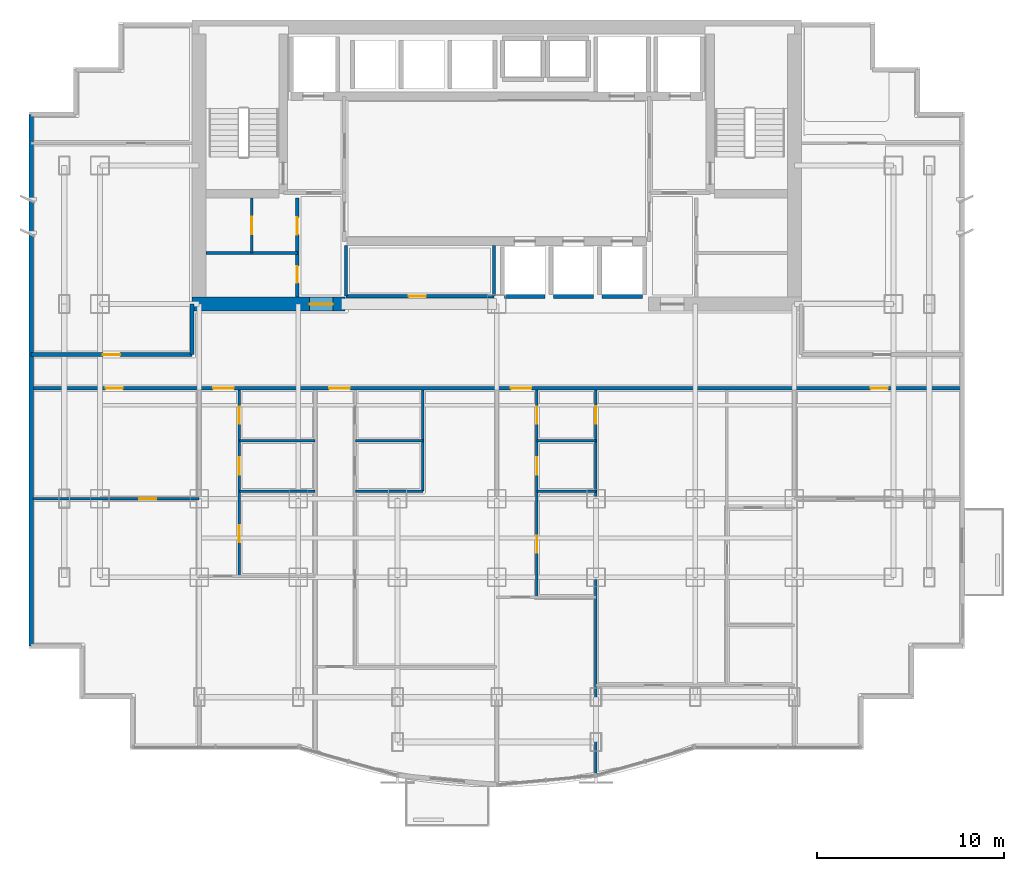
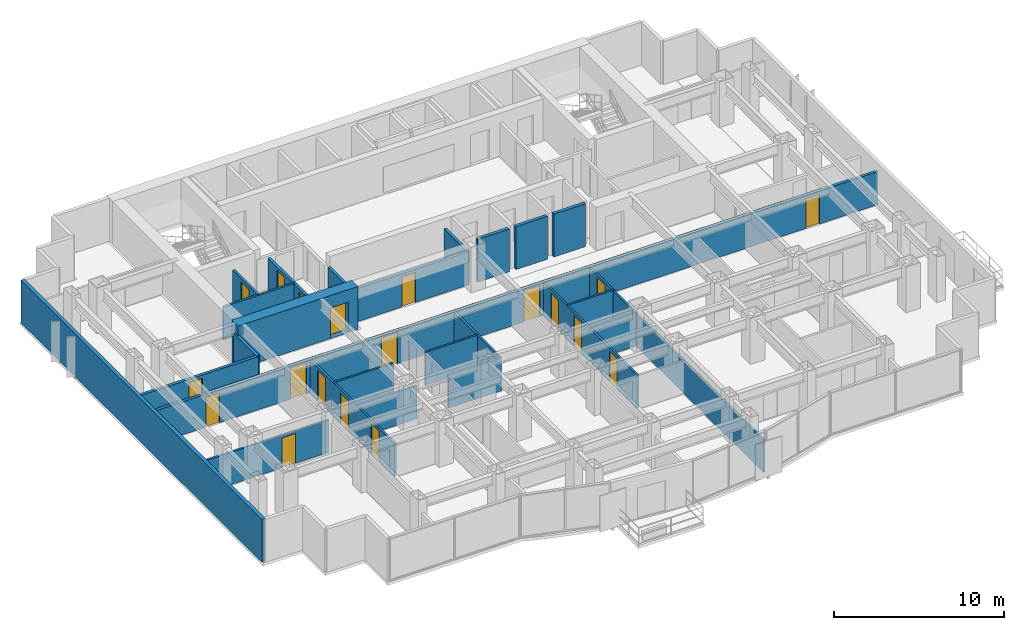
# One storey, part 5 of 10: 25 walls, 19 doors, 19 openings.
"""IFC4 building model written with IfcOpenShell, lengths in metres."""

from ifc_helpers import new_model, si_unit, direction, frame, frame_2d, origin, place, context, subcontext, project, spatial, rectangle, extrude, material, layer, layer_set, type_object, element, fill, save


model = new_model("IFC4")

# Units and contexts
model_context = context("Model", 3, precision=1e-05, world=origin(), true_north=direction((0.0, 1.0)))
body_context = subcontext(model_context, "Body", "Model", "MODEL_VIEW")
ifc_project = project(units=[si_unit("LENGTHUNIT", "METRE"), si_unit("AREAUNIT", "SQUARE_METRE"), si_unit("VOLUMEUNIT", "CUBIC_METRE"), si_unit("PLANEANGLEUNIT", "RADIAN"), si_unit("MASSUNIT", "GRAM", prefix="KILO")], contexts=[model_context])

# Site, building, storey
site_placement = place(None, origin())
site = spatial("IfcSite", under=ifc_project, at=site_placement, CompositionType="ELEMENT")
building_placement = place(site_placement, origin())
building = spatial("IfcBuilding", under=site, at=building_placement, Name="Qianlan Lanfeng Residences", CompositionType="ELEMENT")
storey_placement = place(building_placement, frame((0.0, 0.0, 91.60009765625)))
storey = spatial("IfcBuildingStorey", under=building, at=storey_placement, Name="L24", CompositionType="ELEMENT", Elevation=91.60009765625)

# Wall, opening, door
ifc_material_1 = material(Name="Concrete C60", Category="concrete")
ifc_layer_1 = layer(ifc_material_1, 0.75)
ifc_layer_set_1 = layer_set([ifc_layer_1], Name="Concrete C60")
wall_type_1 = type_object("IfcWallType", Name="CW-RC-750", PredefinedType="SHEAR", material=ifc_layer_set_1)
wall_1_placement = place(storey_placement, frame((10.22509765625, 25.199951171875, 0.0), z_axis=(0.0, 0.0, 1.0), x_axis=(1.0, 0.0, 0.0)))
wall_1 = element("IfcWall", 1, at=wall_1_placement, inside=storey, type_object=wall_type_1, Name="L24 Core Shear Wall SW", PredefinedType="SHEAR", context=body_context, shape_type="SweptSolid", body=[
    extrude(rectangle(XDim=8.1748046875, YDim=0.75, at=frame_2d((4.08740234375, 0.0))), origin(), (0.0, 0.0, 1.0), 3.08984375),
])
opening_1_placement = place(wall_1_placement, frame((6.27490234375, 0.0, 0.0)))
opening_1 = element("IfcOpeningElement", 2, at=opening_1_placement, cuts=wall_1, Name="Opening L24-D01", PredefinedType="OPENING", context=body_context, shape_type="SweptSolid", body=[
    extrude(rectangle(XDim=1.25, YDim=2.199951171875, at=frame_2d((0.625, 1.10009765625))), frame((0.0, 0.385009765625, 0.0), z_axis=(0.0, -1.0, 0.0), x_axis=(1.0, 0.0, 0.0)), (0.0, 0.0, 1.0), 0.77001953125),
])
ifc_material_2 = material(Name="Painted Galvanised Steel Fire Door", Category="steel")
door_type_1 = type_object("IfcDoorType", Name="DT-FFL", OperationType="NOTDEFINED", PredefinedType="DOOR", material=ifc_material_2)
door_1_placement = place(opening_1_placement, origin())
door_1 = element("IfcDoor", 3, at=door_1_placement, inside=storey, type_object=door_type_1, Name="L24 West Core Lobby Smoke Door L24-D01 (DT-FFL)", OperationType="SINGLE_SWING_RIGHT", OverallHeight=2.199951171875, OverallWidth=1.25, PredefinedType="DOOR", context=body_context, shape_type="SweptSolid", body=[
    extrude(rectangle(XDim=1.25, YDim=2.199951171875, at=frame_2d((0.625, 1.10009765625))), frame((0.0, 0.02490234375, 0.0), z_axis=(0.0, -1.0, 0.0), x_axis=(1.0, 0.0, 0.0)), (0.0, 0.0, 1.0), 0.050048828125),
])
fill(opening_1, door_1)

# Wall
ifc_material_3 = material(Name="Concrete C42", Category="concrete")
ifc_layer_2 = layer(ifc_material_3, 0.239990234375)
ifc_layer_set_2 = layer_set([ifc_layer_2], Name="Concrete C42")
wall_type_2 = type_object("IfcWallType", Name="EW-240", PredefinedType="SOLIDWALL", material=ifc_layer_set_2)
wall_2_placement = place(storey_placement, frame((1.6201171875, 35.330078125, 0.0), z_axis=(0.0, 0.0, 1.0), x_axis=(0.0, -1.0, 0.0)))
element("IfcWall", 4, at=wall_2_placement, inside=storey, type_object=wall_type_2, Name="L24 Exterior Facade Spandrel Wall 21", PredefinedType="SOLIDWALL", context=body_context, shape_type="SweptSolid", body=[
    extrude(rectangle(XDim=28.41015625, YDim=0.239990234375, at=frame_2d((14.205078125, 0.0))), origin(), (0.0, 0.0, 1.0), 3.08984375),
])

# Wall, openings, doors
ifc_material_4 = material(Name="Moisture-Resistant Gypsum Partition 135 mm")
ifc_layer_3 = layer(ifc_material_4, 0.135009765625)
ifc_layer_set_3 = layer_set([ifc_layer_3], Name="Moisture-Resistant Gypsum Partition 135 mm")
wall_type_3 = type_object("IfcWallType", Name="PW-135", PredefinedType="PARTITIONING", material=ifc_layer_set_3)
wall_3_placement = place(storey_placement, frame((12.75, 10.652099609375, 0.0), z_axis=(0.0, 0.0, 1.0), x_axis=(0.0, 1.0, 0.0)))
wall_3 = element("IfcWall", 5, at=wall_3_placement, inside=storey, type_object=wall_type_3, Name="L24 U01 Entry Hall Spine", PredefinedType="PARTITIONING", context=body_context, shape_type="SweptSolid", body=[
    extrude(rectangle(XDim=9.947998046875, YDim=0.135009765625, at=frame_2d((4.97412109375, 0.0))), origin(), (0.0, 0.0, 1.0), 2.3798828125),
])
opening_2_placement = place(wall_3_placement, frame((1.81396484375, 0.0, 0.0)))
opening_2 = element("IfcOpeningElement", 6, at=opening_2_placement, cuts=wall_3, Name="Opening L24-D19", PredefinedType="OPENING", context=body_context, shape_type="SweptSolid", body=[
    extrude(rectangle(XDim=0.919921875, YDim=2.14990234375, at=frame_2d((0.4599609375, 1.074951171875))), frame((0.0, 0.07763671875, 0.0), z_axis=(0.0, -1.0, 0.0), x_axis=(1.0, 0.0, 0.0)), (0.0, 0.0, 1.0), 0.155029296875),
])
opening_3_placement = place(wall_3_placement, frame((5.43798828125, 0.0, 0.0)))
opening_3 = element("IfcOpeningElement", 7, at=opening_3_placement, cuts=wall_3, Name="Opening L24-D20", PredefinedType="OPENING", context=body_context, shape_type="SweptSolid", body=[
    extrude(rectangle(XDim=0.919921875, YDim=2.14990234375, at=frame_2d((0.4599609375, 1.074951171875))), frame((0.0, 0.07763671875, 0.0), z_axis=(0.0, -1.0, 0.0), x_axis=(1.0, 0.0, 0.0)), (0.0, 0.0, 1.0), 0.155029296875),
])
opening_4_placement = place(wall_3_placement, frame((8.14794921875, 0.0, 0.0)))
opening_4 = element("IfcOpeningElement", 8, at=opening_4_placement, cuts=wall_3, Name="Opening L24-D21", PredefinedType="OPENING", context=body_context, shape_type="SweptSolid", body=[
    extrude(rectangle(XDim=0.89990234375, YDim=2.14990234375, at=frame_2d((0.449951171875, 1.074951171875))), frame((0.0, 0.07763671875, 0.0), z_axis=(0.0, -1.0, 0.0), x_axis=(1.0, 0.0, 0.0)), (0.0, 0.0, 1.0), 0.155029296875),
])
ifc_material_5 = material(Name="Glazed Timber Kitchen/Study Door", Category="wood")
door_type_2 = type_object("IfcDoorType", Name="DT-INT", OperationType="NOTDEFINED", PredefinedType="DOOR", material=ifc_material_5)
door_2_placement = place(opening_2_placement, origin())
door_2 = element("IfcDoor", 9, at=door_2_placement, inside=storey, type_object=door_type_2, Name="L24 U01 Study Door L24-D19 (DT-INT)", OperationType="SINGLE_SWING_RIGHT", OverallHeight=2.14990234375, OverallWidth=0.919921875, PredefinedType="DOOR", context=body_context, shape_type="SweptSolid", body=[
    extrude(rectangle(XDim=0.919921875, YDim=2.14990234375, at=frame_2d((0.4599609375, 1.074951171875))), frame((0.0, 0.02490234375, 0.0), z_axis=(0.0, -1.0, 0.0), x_axis=(1.0, 0.0, 0.0)), (0.0, 0.0, 1.0), 0.050048828125),
])
fill(opening_2, door_2)
door_3_placement = place(opening_3_placement, origin())
door_3 = element("IfcDoor", 10, at=door_3_placement, inside=storey, type_object=door_type_2, Name="L24 U01 Kitchen Door L24-D20 (DT-INT)", OperationType="SINGLE_SWING_LEFT", OverallHeight=2.14990234375, OverallWidth=0.919921875, PredefinedType="DOOR", context=body_context, shape_type="SweptSolid", body=[
    extrude(rectangle(XDim=0.919921875, YDim=2.14990234375, at=frame_2d((0.4599609375, 1.074951171875))), frame((0.0, 0.02490234375, 0.0), z_axis=(0.0, -1.0, 0.0), x_axis=(1.0, 0.0, 0.0)), (0.0, 0.0, 1.0), 0.050048828125),
])
fill(opening_3, door_3)
ifc_material_6 = material(Name="Moisture-Resistant Timber Leaf", Category="wood")
door_type_3 = type_object("IfcDoorType", Name="DT-WC", OperationType="NOTDEFINED", PredefinedType="DOOR", material=ifc_material_6)
door_4_placement = place(opening_4_placement, origin())
door_4 = element("IfcDoor", 11, at=door_4_placement, inside=storey, type_object=door_type_3, Name="L24 U01 Bathroom Door L24-D21 (DT-WC)", OperationType="SINGLE_SWING_RIGHT", OverallHeight=2.14990234375, OverallWidth=0.89990234375, PredefinedType="DOOR", context=body_context, shape_type="SweptSolid", body=[
    extrude(rectangle(XDim=0.89990234375, YDim=2.14990234375, at=frame_2d((0.449951171875, 1.074951171875))), frame((0.0, 0.02490234375, 0.0), z_axis=(0.0, -1.0, 0.0), x_axis=(1.0, 0.0, 0.0)), (0.0, 0.0, 1.0), 0.050048828125),
])
fill(opening_4, door_4)

# Walls
for number, where, z_axis, x_axis, name in (
    (12, (12.75, 15.199951171875, 0.0), (0.0, 0.0, 1.0), (1.0, 0.0, 0.0), "L24 U01 Kitchen South Wall"),
    (13, (12.75, 17.89990234375, 0.0), (0.0, 0.0, 1.0), (1.0, 0.0, 0.0), "L24 U01 Bathroom South Wall"),
):
    element("IfcWall", number, at=place(storey_placement, frame(where, z_axis=z_axis, x_axis=x_axis)), inside=storey, type_object=wall_type_3, Name=name, PredefinedType="PARTITIONING", context=body_context, shape_type="SweptSolid", body=[
        extrude(rectangle(XDim=4.050048828125, YDim=0.135009765625, at=frame_2d((2.02490234375, 0.0))), origin(), (0.0, 0.0, 1.0), 2.3798828125),
    ])
wall_4_placement = place(storey_placement, frame((18.949951171875, 15.199951171875, 0.0), z_axis=(0.0, 0.0, 1.0), x_axis=(1.0, 0.0, 0.0)))
element("IfcWall", 14, at=wall_4_placement, inside=storey, type_object=wall_type_3, Name="L24 U02 Kitchen South Wall", PredefinedType="PARTITIONING", context=body_context, shape_type="SweptSolid", body=[
    extrude(rectangle(XDim=3.60009765625, YDim=0.135009765625, at=frame_2d((1.800048828125, 0.0))), origin(), (0.0, 0.0, 1.0), 2.3798828125),
])
wall_5_placement = place(storey_placement, frame((22.550048828125, 15.199951171875, 0.0), z_axis=(0.0, 0.0, 1.0), x_axis=(0.0, 1.0, 0.0)))
element("IfcWall", 15, at=wall_5_placement, inside=storey, type_object=wall_type_3, Name="L24 U02 Dining East Wall", PredefinedType="PARTITIONING", context=body_context, shape_type="SweptSolid", body=[
    extrude(rectangle(XDim=5.400146484375, YDim=0.135009765625, at=frame_2d((2.7001953125, 0.0))), origin(), (0.0, 0.0, 1.0), 2.3798828125),
])
wall_6_placement = place(storey_placement, frame((18.949951171875, 17.89990234375, 0.0), z_axis=(0.0, 0.0, 1.0), x_axis=(1.0, 0.0, 0.0)))
element("IfcWall", 16, at=wall_6_placement, inside=storey, type_object=wall_type_3, Name="L24 U02 Bathroom South Wall", PredefinedType="PARTITIONING", context=body_context, shape_type="SweptSolid", body=[
    extrude(rectangle(XDim=3.60009765625, YDim=0.135009765625, at=frame_2d((1.800048828125, 0.0))), origin(), (0.0, 0.0, 1.0), 2.3798828125),
])

# Wall, opening, door
wall_7_placement = place(storey_placement, frame((31.800048828125, 0.126953125, 0.0), z_axis=(0.0, 0.0, 1.0), x_axis=(0.0, 1.0, 0.0)))
wall_7 = element("IfcWall", 17, at=wall_7_placement, inside=storey, type_object=wall_type_3, Name="L24 U03 Bay Spine Wall 1", PredefinedType="PARTITIONING", context=body_context, shape_type="SweptSolid", body=[
    extrude(rectangle(XDim=20.47314453125, YDim=0.135009765625, at=frame_2d((10.236572265625, 0.0))), origin(), (0.0, 0.0, 1.0), 2.3349609375),
])
opening_5_placement = place(wall_7_placement, frame((18.68798828125, 0.0, 0.0)))
opening_5 = element("IfcOpeningElement", 18, at=opening_5_placement, cuts=wall_7, Name="Opening L24-D28", PredefinedType="OPENING", context=body_context, shape_type="SweptSolid", body=[
    extrude(rectangle(XDim=0.919921875, YDim=2.14990234375, at=frame_2d((0.4599609375, 1.074951171875))), frame((0.0, 0.07763671875, 0.0), z_axis=(0.0, -1.0, 0.0), x_axis=(1.0, 0.0, 0.0)), (0.0, 0.0, 1.0), 0.155029296875),
])
door_5_placement = place(opening_5_placement, origin())
door_5 = element("IfcDoor", 19, at=door_5_placement, inside=storey, type_object=door_type_2, Name="L24 U03 Internal Hall Door L24-D28 (DT-INT)", OperationType="SINGLE_SWING_LEFT", OverallHeight=2.14990234375, OverallWidth=0.919921875, PredefinedType="DOOR", context=body_context, shape_type="SweptSolid", body=[
    extrude(rectangle(XDim=0.919921875, YDim=2.14990234375, at=frame_2d((0.4599609375, 1.074951171875))), frame((0.0, 0.02490234375, 0.0), z_axis=(0.0, -1.0, 0.0), x_axis=(1.0, 0.0, 0.0)), (0.0, 0.0, 1.0), 0.050048828125),
])
fill(opening_5, door_5)

# Wall, openings, doors
wall_8_placement = place(storey_placement, frame((28.64990234375, 9.547119140625, 0.0), z_axis=(0.0, 0.0, 1.0), x_axis=(0.0, 1.0, 0.0)))
wall_8 = element("IfcWall", 20, at=wall_8_placement, inside=storey, type_object=wall_type_3, Name="L24 U03 Entry Hall Spine", PredefinedType="PARTITIONING", context=body_context, shape_type="SweptSolid", body=[
    extrude(rectangle(XDim=11.052978515625, YDim=0.135009765625, at=frame_2d((5.5263671875, 0.0))), origin(), (0.0, 0.0, 1.0), 2.3798828125),
])
opening_6_placement = place(wall_8_placement, frame((2.365966796875, 0.0, 0.0)))
opening_6 = element("IfcOpeningElement", 21, at=opening_6_placement, cuts=wall_8, Name="Opening L24-D30", PredefinedType="OPENING", context=body_context, shape_type="SweptSolid", body=[
    extrude(rectangle(XDim=0.919921875, YDim=2.14990234375, at=frame_2d((0.4599609375, 1.074951171875))), frame((0.0, 0.07763671875, 0.0), z_axis=(0.0, -1.0, 0.0), x_axis=(1.0, 0.0, 0.0)), (0.0, 0.0, 1.0), 0.155029296875),
])
opening_7_placement = place(wall_8_placement, frame((6.54296875, 0.0, 0.0)))
opening_7 = element("IfcOpeningElement", 22, at=opening_7_placement, cuts=wall_8, Name="Opening L24-D31", PredefinedType="OPENING", context=body_context, shape_type="SweptSolid", body=[
    extrude(rectangle(XDim=0.919921875, YDim=2.14990234375, at=frame_2d((0.4599609375, 1.074951171875))), frame((0.0, 0.07763671875, 0.0), z_axis=(0.0, -1.0, 0.0), x_axis=(1.0, 0.0, 0.0)), (0.0, 0.0, 1.0), 0.155029296875),
])
opening_8_placement = place(wall_8_placement, frame((9.2529296875, 0.0, 0.0)))
opening_8 = element("IfcOpeningElement", 23, at=opening_8_placement, cuts=wall_8, Name="Opening L24-D32", PredefinedType="OPENING", context=body_context, shape_type="SweptSolid", body=[
    extrude(rectangle(XDim=0.89990234375, YDim=2.14990234375, at=frame_2d((0.449951171875, 1.074951171875))), frame((0.0, 0.07763671875, 0.0), z_axis=(0.0, -1.0, 0.0), x_axis=(1.0, 0.0, 0.0)), (0.0, 0.0, 1.0), 0.155029296875),
])
door_6_placement = place(opening_6_placement, origin())
door_6 = element("IfcDoor", 24, at=door_6_placement, inside=storey, type_object=door_type_2, Name="L24 U03 Study Door L24-D30 (DT-INT)", OperationType="SINGLE_SWING_LEFT", OverallHeight=2.14990234375, OverallWidth=0.919921875, PredefinedType="DOOR", context=body_context, shape_type="SweptSolid", body=[
    extrude(rectangle(XDim=0.919921875, YDim=2.14990234375, at=frame_2d((0.4599609375, 1.074951171875))), frame((0.0, 0.02490234375, 0.0), z_axis=(0.0, -1.0, 0.0), x_axis=(1.0, 0.0, 0.0)), (0.0, 0.0, 1.0), 0.050048828125),
])
fill(opening_6, door_6)
door_7_placement = place(opening_7_placement, origin())
door_7 = element("IfcDoor", 25, at=door_7_placement, inside=storey, type_object=door_type_2, Name="L24 U03 Kitchen Door L24-D31 (DT-INT)", OperationType="SINGLE_SWING_RIGHT", OverallHeight=2.14990234375, OverallWidth=0.919921875, PredefinedType="DOOR", context=body_context, shape_type="SweptSolid", body=[
    extrude(rectangle(XDim=0.919921875, YDim=2.14990234375, at=frame_2d((0.4599609375, 1.074951171875))), frame((0.0, 0.02490234375, 0.0), z_axis=(0.0, -1.0, 0.0), x_axis=(1.0, 0.0, 0.0)), (0.0, 0.0, 1.0), 0.050048828125),
])
fill(opening_7, door_7)
door_8_placement = place(opening_8_placement, origin())
door_8 = element("IfcDoor", 26, at=door_8_placement, inside=storey, type_object=door_type_3, Name="L24 U03 Bathroom Door L24-D32 (DT-WC)", OperationType="SINGLE_SWING_LEFT", OverallHeight=2.14990234375, OverallWidth=0.89990234375, PredefinedType="DOOR", context=body_context, shape_type="SweptSolid", body=[
    extrude(rectangle(XDim=0.89990234375, YDim=2.14990234375, at=frame_2d((0.449951171875, 1.074951171875))), frame((0.0, 0.02490234375, 0.0), z_axis=(0.0, -1.0, 0.0), x_axis=(1.0, 0.0, 0.0)), (0.0, 0.0, 1.0), 0.050048828125),
])
fill(opening_8, door_8)

# Walls
for number, where, z_axis, x_axis, name in (
    (27, (28.64990234375, 15.199951171875, 0.0), (0.0, 0.0, 1.0), (1.0, 0.0, 0.0), "L24 U03 Kitchen South Wall"),
    (28, (28.64990234375, 17.89990234375, 0.0), (0.0, 0.0, 1.0), (1.0, 0.0, 0.0), "L24 U03 Bathroom South Wall"),
):
    element("IfcWall", number, at=place(storey_placement, frame(where, z_axis=z_axis, x_axis=x_axis)), inside=storey, type_object=wall_type_3, Name=name, PredefinedType="PARTITIONING", context=body_context, shape_type="SweptSolid", body=[
        extrude(rectangle(XDim=3.150146484375, YDim=0.135009765625, at=frame_2d((1.5751953125, 0.0))), origin(), (0.0, 0.0, 1.0), 2.3798828125),
    ])

# Wall, opening, door
wall_9_placement = place(storey_placement, frame((1.719970703125, 14.800048828125, 0.0), z_axis=(0.0, 0.0, 1.0), x_axis=(1.0, 0.0, 0.0)))
wall_9 = element("IfcWall", 29, at=wall_9_placement, inside=storey, type_object=wall_type_3, Name="L24 SWP Mid Partition", PredefinedType="PARTITIONING", context=body_context, shape_type="SweptSolid", body=[
    extrude(rectangle(XDim=8.880126953125, YDim=0.135009765625, at=frame_2d((4.43994140625, 0.0))), origin(), (0.0, 0.0, 1.0), 2.3349609375),
])
opening_9_placement = place(wall_9_placement, frame((5.679931640625, 0.0, 0.0)))
opening_9 = element("IfcOpeningElement", 30, at=opening_9_placement, cuts=wall_9, Name="Opening L24-D37", PredefinedType="OPENING", context=body_context, shape_type="SweptSolid", body=[
    extrude(rectangle(XDim=0.919921875, YDim=2.14990234375, at=frame_2d((0.4599609375, 1.074951171875))), frame((0.0, 0.07763671875, 0.0), z_axis=(0.0, -1.0, 0.0), x_axis=(1.0, 0.0, 0.0)), (0.0, 0.0, 1.0), 0.155029296875),
])
door_9_placement = place(opening_9_placement, origin())
door_9 = element("IfcDoor", 31, at=door_9_placement, inside=storey, type_object=door_type_2, Name="L24 SWP Inner Door L24-D37 (DT-INT)", OperationType="SINGLE_SWING_RIGHT", OverallHeight=2.14990234375, OverallWidth=0.919921875, PredefinedType="DOOR", context=body_context, shape_type="SweptSolid", body=[
    extrude(rectangle(XDim=0.919921875, YDim=2.14990234375, at=frame_2d((0.4599609375, 1.074951171875))), frame((0.0, 0.02490234375, 0.0), z_axis=(0.0, -1.0, 0.0), x_axis=(1.0, 0.0, 0.0)), (0.0, 0.0, 1.0), 0.050048828125),
])
fill(opening_9, door_9)

# Wall
ifc_material_7 = material(Name="Acoustic Drywall Partition 150 mm")
ifc_layer_4 = layer(ifc_material_7, 0.14990234375)
ifc_layer_set_4 = layer_set([ifc_layer_4], Name="Acoustic Drywall Partition 150 mm")
wall_type_4 = type_object("IfcWallType", Name="PW-150", PredefinedType="PARTITIONING", material=ifc_layer_set_4)
wall_10_placement = place(storey_placement, frame((10.97509765625, 27.925048828125, 0.0), z_axis=(0.0, 0.0, 1.0), x_axis=(1.0, 0.0, 0.0)))
element("IfcWall", 32, at=wall_10_placement, inside=storey, type_object=wall_type_4, Name="L24 Core West H4", PredefinedType="PARTITIONING", context=body_context, shape_type="SweptSolid", body=[
    extrude(rectangle(XDim=4.875, YDim=0.14990234375, at=frame_2d((2.4375, 0.0))), origin(), (0.0, 0.0, 1.0), 2.3798828125),
])

# Wall, opening, door
wall_11_placement = place(storey_placement, frame((13.412109375, 27.925048828125, 0.0), z_axis=(0.0, 0.0, 1.0), x_axis=(0.0, 1.0, 0.0)))
wall_11 = element("IfcWall", 33, at=wall_11_placement, inside=storey, type_object=wall_type_4, Name="L24 Core West V4", PredefinedType="PARTITIONING", context=body_context, shape_type="SweptSolid", body=[
    extrude(rectangle(XDim=2.949951171875, YDim=0.14990234375, at=frame_2d((1.47509765625, 0.0))), origin(), (0.0, 0.0, 1.0), 2.3798828125),
])
opening_10_placement = place(wall_11_placement, frame((1.014892578125, 0.0, 0.0)))
opening_10 = element("IfcOpeningElement", 34, at=opening_10_placement, cuts=wall_11, Name="Opening L24-D11", PredefinedType="OPENING", context=body_context, shape_type="SweptSolid", body=[
    extrude(rectangle(XDim=0.919921875, YDim=2.14990234375, at=frame_2d((0.4599609375, 1.074951171875))), frame((0.0, 0.0849609375, 0.0), z_axis=(0.0, -1.0, 0.0), x_axis=(1.0, 0.0, 0.0)), (0.0, 0.0, 1.0), 0.169921875),
])
door_10_placement = place(opening_10_placement, origin())
door_10 = element("IfcDoor", 35, at=door_10_placement, inside=storey, type_object=door_type_2, Name="L24 Linen Store Door L24-D11 (DT-INT)", OperationType="SINGLE_SWING_RIGHT", OverallHeight=2.14990234375, OverallWidth=0.919921875, PredefinedType="DOOR", context=body_context, shape_type="SweptSolid", body=[
    extrude(rectangle(XDim=0.919921875, YDim=2.14990234375, at=frame_2d((0.4599609375, 1.074951171875))), frame((0.0, 0.02490234375, 0.0), z_axis=(0.0, -1.0, 0.0), x_axis=(1.0, 0.0, 0.0)), (0.0, 0.0, 1.0), 0.050048828125),
])
fill(opening_10, door_10)

# Wall, openings, doors
ifc_material_8 = material(Name="Double-Layer Acoustic Gypsum Stud Wall 180 mm")
ifc_layer_5 = layer(ifc_material_8, 0.179931640625)
ifc_layer_set_5 = layer_set([ifc_layer_5], Name="Double-Layer Acoustic Gypsum Stud Wall 180 mm")
wall_type_5 = type_object("IfcWallType", Name="PW-180", PredefinedType="PARTITIONING", material=ifc_layer_set_5)
wall_12_placement = place(storey_placement, frame((15.85009765625, 25.574951171875, 0.0), z_axis=(0.0, 0.0, 1.0), x_axis=(0.0, 1.0, 0.0)))
wall_12 = element("IfcWall", 36, at=wall_12_placement, inside=storey, type_object=wall_type_5, Name="L24 Core West Service Room Wall", PredefinedType="PARTITIONING", context=body_context, shape_type="SweptSolid", body=[
    extrude(rectangle(XDim=5.300048828125, YDim=0.179931640625, at=frame_2d((2.64990234375, 0.0))), origin(), (0.0, 0.0, 1.0), 2.3798828125),
])
opening_11_placement = place(wall_12_placement, frame((0.75, 0.0, 0.0)))
opening_11 = element("IfcOpeningElement", 37, at=opening_11_placement, cuts=wall_12, Name="Opening L24-D09", PredefinedType="OPENING", context=body_context, shape_type="SweptSolid", body=[
    extrude(rectangle(XDim=0.89990234375, YDim=2.14990234375, at=frame_2d((0.449951171875, 1.074951171875))), frame((0.0, 0.10009765625, 0.0), z_axis=(0.0, -1.0, 0.0), x_axis=(1.0, 0.0, 0.0)), (0.0, 0.0, 1.0), 0.199951171875),
])
opening_12_placement = place(wall_12_placement, frame((3.340087890625, 0.0, 0.0)))
opening_12 = element("IfcOpeningElement", 38, at=opening_12_placement, cuts=wall_12, Name="Opening L24-D10", PredefinedType="OPENING", context=body_context, shape_type="SweptSolid", body=[
    extrude(rectangle(XDim=0.919921875, YDim=2.14990234375, at=frame_2d((0.4599609375, 1.074951171875))), frame((0.0, 0.10009765625, 0.0), z_axis=(0.0, -1.0, 0.0), x_axis=(1.0, 0.0, 0.0)), (0.0, 0.0, 1.0), 0.199951171875),
])
door_11_placement = place(opening_12_placement, origin())
door_11 = element("IfcDoor", 39, at=door_11_placement, inside=storey, type_object=door_type_2, Name="L24 Janitor Hall Door L24-D10 (DT-INT)", OperationType="SINGLE_SWING_LEFT", OverallHeight=2.14990234375, OverallWidth=0.919921875, PredefinedType="DOOR", context=body_context, shape_type="SweptSolid", body=[
    extrude(rectangle(XDim=0.919921875, YDim=2.14990234375, at=frame_2d((0.4599609375, 1.074951171875))), frame((0.0, 0.02490234375, 0.0), z_axis=(0.0, -1.0, 0.0), x_axis=(1.0, 0.0, 0.0)), (0.0, 0.0, 1.0), 0.050048828125),
])
fill(opening_12, door_11)
door_12_placement = place(opening_11_placement, origin())
door_12 = element("IfcDoor", 40, at=door_12_placement, inside=storey, type_object=door_type_3, Name="L24 Staff WC Door L24-D09 (DT-WC)", OperationType="SINGLE_SWING_LEFT", OverallHeight=2.14990234375, OverallWidth=0.89990234375, PredefinedType="DOOR", context=body_context, shape_type="SweptSolid", body=[
    extrude(rectangle(XDim=0.89990234375, YDim=2.14990234375, at=frame_2d((0.449951171875, 1.074951171875))), frame((0.0, 0.02490234375, 0.0), z_axis=(0.0, -1.0, 0.0), x_axis=(1.0, 0.0, 0.0)), (0.0, 0.0, 1.0), 0.050048828125),
])
fill(opening_11, door_12)

# Walls
for number, where, z_axis, x_axis, name in (
    (41, (18.449951171875, 25.6201171875, 0.0), (0.0, 0.0, 1.0), (0.0, 1.0, 0.0), "L24 Reclaimed Low-Bank Room West Wall"),
    (42, (26.35009765625, 25.6201171875, 0.0), (0.0, 0.0, 1.0), (0.0, 1.0, 0.0), "L24 Reclaimed Low-Bank Room East Wall"),
):
    element("IfcWall", number, at=place(storey_placement, frame(where, z_axis=z_axis, x_axis=x_axis)), inside=storey, type_object=wall_type_5, Name=name, PredefinedType="PARTITIONING", context=body_context, shape_type="SweptSolid", body=[
        extrude(rectangle(XDim=2.704833984375, YDim=0.179931640625, at=frame_2d((1.3525390625, 0.0))), origin(), (0.0, 0.0, 1.0), 2.3798828125),
    ])

# Wall, opening, door
wall_13_placement = place(storey_placement, frame((18.449951171875, 25.6201171875, 0.0), z_axis=(0.0, 0.0, 1.0), x_axis=(1.0, 0.0, 0.0)))
wall_13 = element("IfcWall", 43, at=wall_13_placement, inside=storey, type_object=wall_type_5, Name="L24 Reclaimed Low-Bank Room South Wall", PredefinedType="PARTITIONING", context=body_context, shape_type="SweptSolid", body=[
    extrude(rectangle(XDim=7.900146484375, YDim=0.179931640625, at=frame_2d((3.9501953125, 0.0))), origin(), (0.0, 0.0, 1.0), 2.3798828125),
])
opening_13_placement = place(wall_13_placement, frame((3.340087890625, 0.0, 0.0)))
opening_13 = element("IfcOpeningElement", 44, at=opening_13_placement, cuts=wall_13, Name="Opening L24-D16", PredefinedType="OPENING", context=body_context, shape_type="SweptSolid", body=[
    extrude(rectangle(XDim=0.919921875, YDim=2.14990234375, at=frame_2d((0.4599609375, 1.074951171875))), frame((0.0, 0.10009765625, 0.0), z_axis=(0.0, -1.0, 0.0), x_axis=(1.0, 0.0, 0.0)), (0.0, 0.0, 1.0), 0.199951171875),
])
door_13_placement = place(opening_13_placement, origin())
door_13 = element("IfcDoor", 45, at=door_13_placement, inside=storey, type_object=door_type_2, Name="L24 Reclaimed Core Salon Door L24-D16 (DT-INT)", OperationType="SINGLE_SWING_LEFT", OverallHeight=2.14990234375, OverallWidth=0.919921875, PredefinedType="DOOR", context=body_context, shape_type="SweptSolid", body=[
    extrude(rectangle(XDim=0.919921875, YDim=2.14990234375, at=frame_2d((0.4599609375, 1.074951171875))), frame((0.0, 0.02490234375, 0.0), z_axis=(0.0, -1.0, 0.0), x_axis=(1.0, 0.0, 0.0)), (0.0, 0.0, 1.0), 0.050048828125),
])
fill(opening_13, door_13)

# Wall, openings, doors
ifc_material_9 = material(Name="Autoclaved Aerated Concrete Blockwork 200 mm", Category="masonry")
ifc_layer_6 = layer(ifc_material_9, 0.199951171875)
ifc_layer_set_6 = layer_set([ifc_layer_6], Name="Autoclaved Aerated Concrete Blockwork 200 mm")
wall_type_6 = type_object("IfcWallType", Name="PW-200", PredefinedType="PARTITIONING", material=ifc_layer_set_6)
wall_14_placement = place(storey_placement, frame((1.6201171875, 20.699951171875, 0.0), z_axis=(0.0, 0.0, 1.0), x_axis=(1.0, 0.0, 0.0)))
wall_14 = element("IfcWall", 46, at=wall_14_placement, inside=storey, type_object=wall_type_6, Name="L24 Residential Corridor South Fire Wall", PredefinedType="PARTITIONING", context=body_context, shape_type="SweptSolid", body=[
    extrude(rectangle(XDim=49.759765625, YDim=0.199951171875, at=frame_2d((24.8798828125, 0.0))), origin(), (0.0, 0.0, 1.0), 2.3798828125),
])
opening_14_placement = place(wall_14_placement, frame((9.72998046875, 0.0, 0.0)))
opening_14 = element("IfcOpeningElement", 47, at=opening_14_placement, cuts=wall_14, Name="Opening L24-D17", PredefinedType="OPENING", context=body_context, shape_type="SweptSolid", body=[
    extrude(rectangle(XDim=1.10009765625, YDim=2.25, at=frame_2d((0.550048828125, 1.125))), frame((0.0, 0.10986328125, 0.0), z_axis=(0.0, -1.0, 0.0), x_axis=(1.0, 0.0, 0.0)), (0.0, 0.0, 1.0), 0.219970703125),
])
opening_15_placement = place(wall_14_placement, frame((15.929931640625, 0.0, 0.0)))
opening_15 = element("IfcOpeningElement", 48, at=opening_15_placement, cuts=wall_14, Name="Opening L24-D22", PredefinedType="OPENING", context=body_context, shape_type="SweptSolid", body=[
    extrude(rectangle(XDim=1.10009765625, YDim=2.25, at=frame_2d((0.550048828125, 1.125))), frame((0.0, 0.10986328125, 0.0), z_axis=(0.0, -1.0, 0.0), x_axis=(1.0, 0.0, 0.0)), (0.0, 0.0, 1.0), 0.219970703125),
])
opening_16_placement = place(wall_14_placement, frame((25.6298828125, 0.0, 0.0)))
opening_16 = element("IfcOpeningElement", 49, at=opening_16_placement, cuts=wall_14, Name="Opening L24-D27", PredefinedType="OPENING", context=body_context, shape_type="SweptSolid", body=[
    extrude(rectangle(XDim=1.10009765625, YDim=2.25, at=frame_2d((0.550048828125, 1.125))), frame((0.0, 0.10986328125, 0.0), z_axis=(0.0, -1.0, 0.0), x_axis=(1.0, 0.0, 0.0)), (0.0, 0.0, 1.0), 0.219970703125),
])
opening_17_placement = place(wall_14_placement, frame((3.985107421875, 0.0, 0.0)))
opening_17 = element("IfcOpeningElement", 50, at=opening_17_placement, cuts=wall_14, Name="Opening L24-D38", PredefinedType="OPENING", context=body_context, shape_type="SweptSolid", body=[
    extrude(rectangle(XDim=0.919921875, YDim=2.14990234375, at=frame_2d((0.4599609375, 1.074951171875))), frame((0.0, 0.10986328125, 0.0), z_axis=(0.0, -1.0, 0.0), x_axis=(1.0, 0.0, 0.0)), (0.0, 0.0, 1.0), 0.219970703125),
])
opening_18_placement = place(wall_14_placement, frame((44.85498046875, 0.0, 0.0)))
opening_18 = element("IfcOpeningElement", 51, at=opening_18_placement, cuts=wall_14, Name="Opening L24-D40", PredefinedType="OPENING", context=body_context, shape_type="SweptSolid", body=[
    extrude(rectangle(XDim=0.919921875, YDim=2.14990234375, at=frame_2d((0.4599609375, 1.074951171875))), frame((0.0, 0.10986328125, 0.0), z_axis=(0.0, -1.0, 0.0), x_axis=(1.0, 0.0, 0.0)), (0.0, 0.0, 1.0), 0.219970703125),
])
door_14_placement = place(opening_17_placement, origin())
door_14 = element("IfcDoor", 52, at=door_14_placement, inside=storey, type_object=door_type_2, Name="L24 SWP Corridor Door L24-D38 (DT-INT)", OperationType="SINGLE_SWING_LEFT", OverallHeight=2.14990234375, OverallWidth=0.919921875, PredefinedType="DOOR", context=body_context, shape_type="SweptSolid", body=[
    extrude(rectangle(XDim=0.919921875, YDim=2.14990234375, at=frame_2d((0.4599609375, 1.074951171875))), frame((0.0, 0.02490234375, 0.0), z_axis=(0.0, -1.0, 0.0), x_axis=(1.0, 0.0, 0.0)), (0.0, 0.0, 1.0), 0.050048828125),
])
fill(opening_17, door_14)
door_15_placement = place(opening_18_placement, origin())
door_15 = element("IfcDoor", 53, at=door_15_placement, inside=storey, type_object=door_type_2, Name="L24 SEP Corridor Door L24-D40 (DT-INT)", OperationType="SINGLE_SWING_LEFT", OverallHeight=2.14990234375, OverallWidth=0.919921875, PredefinedType="DOOR", context=body_context, shape_type="SweptSolid", body=[
    extrude(rectangle(XDim=0.919921875, YDim=2.14990234375, at=frame_2d((0.4599609375, 1.074951171875))), frame((0.0, 0.02490234375, 0.0), z_axis=(0.0, -1.0, 0.0), x_axis=(1.0, 0.0, 0.0)), (0.0, 0.0, 1.0), 0.050048828125),
])
fill(opening_18, door_15)
ifc_material_10 = material(Name="Solid-Core Oak Veneer Fire Door")
door_type_4 = type_object("IfcDoorType", Name="DT-UNIT", OperationType="NOTDEFINED", PredefinedType="DOOR", material=ifc_material_10)
door_16_placement = place(opening_14_placement, origin())
door_16 = element("IfcDoor", 54, at=door_16_placement, inside=storey, type_object=door_type_4, Name="L24 Apartment U01 Entrance Door L24-D17 (DT-UNIT)", OperationType="SINGLE_SWING_RIGHT", OverallHeight=2.25, OverallWidth=1.10009765625, PredefinedType="DOOR", context=body_context, shape_type="SweptSolid", body=[
    extrude(rectangle(XDim=1.10009765625, YDim=2.25, at=frame_2d((0.550048828125, 1.125))), frame((0.0, 0.02490234375, 0.0), z_axis=(0.0, -1.0, 0.0), x_axis=(1.0, 0.0, 0.0)), (0.0, 0.0, 1.0), 0.050048828125),
])
fill(opening_14, door_16)
door_17_placement = place(opening_15_placement, origin())
door_17 = element("IfcDoor", 55, at=door_17_placement, inside=storey, type_object=door_type_4, Name="L24 Apartment U02 Entrance Door L24-D22 (DT-UNIT)", OperationType="SINGLE_SWING_RIGHT", OverallHeight=2.25, OverallWidth=1.10009765625, PredefinedType="DOOR", context=body_context, shape_type="SweptSolid", body=[
    extrude(rectangle(XDim=1.10009765625, YDim=2.25, at=frame_2d((0.550048828125, 1.125))), frame((0.0, 0.02490234375, 0.0), z_axis=(0.0, -1.0, 0.0), x_axis=(1.0, 0.0, 0.0)), (0.0, 0.0, 1.0), 0.050048828125),
])
fill(opening_15, door_17)
door_18_placement = place(opening_16_placement, origin())
door_18 = element("IfcDoor", 56, at=door_18_placement, inside=storey, type_object=door_type_4, Name="L24 Apartment U03 Entrance Door L24-D27 (DT-UNIT)", OperationType="SINGLE_SWING_RIGHT", OverallHeight=2.25, OverallWidth=1.10009765625, PredefinedType="DOOR", context=body_context, shape_type="SweptSolid", body=[
    extrude(rectangle(XDim=1.10009765625, YDim=2.25, at=frame_2d((0.550048828125, 1.125))), frame((0.0, 0.02490234375, 0.0), z_axis=(0.0, -1.0, 0.0), x_axis=(1.0, 0.0, 0.0)), (0.0, 0.0, 1.0), 0.050048828125),
])
fill(opening_16, door_18)

# Wall, opening, door
wall_15_placement = place(storey_placement, frame((1.6201171875, 22.5, 0.0), z_axis=(0.0, 0.0, 1.0), x_axis=(1.0, 0.0, 0.0)))
wall_15 = element("IfcWall", 57, at=wall_15_placement, inside=storey, type_object=wall_type_6, Name="L24 Corridor NW Wall", PredefinedType="PARTITIONING", context=body_context, shape_type="SweptSolid", body=[
    extrude(rectangle(XDim=8.60498046875, YDim=0.199951171875, at=frame_2d((4.302490234375, 0.0))), origin(), (0.0, 0.0, 1.0), 2.3798828125),
])
opening_19_placement = place(wall_15_placement, frame((3.842041015625, 0.0, 0.0)))
opening_19 = element("IfcOpeningElement", 58, at=opening_19_placement, cuts=wall_15, Name="Opening L24-D42", PredefinedType="OPENING", context=body_context, shape_type="SweptSolid", body=[
    extrude(rectangle(XDim=0.919921875, YDim=2.14990234375, at=frame_2d((0.4599609375, 1.074951171875))), frame((0.0, 0.10986328125, 0.0), z_axis=(0.0, -1.0, 0.0), x_axis=(1.0, 0.0, 0.0)), (0.0, 0.0, 1.0), 0.219970703125),
])
door_19_placement = place(opening_19_placement, origin())
door_19 = element("IfcDoor", 59, at=door_19_placement, inside=storey, type_object=door_type_2, Name="L24 WW Amenity Salon Door L24-D42 (DT-INT)", OperationType="SINGLE_SWING_LEFT", OverallHeight=2.14990234375, OverallWidth=0.919921875, PredefinedType="DOOR", context=body_context, shape_type="SweptSolid", body=[
    extrude(rectangle(XDim=0.919921875, YDim=2.14990234375, at=frame_2d((0.4599609375, 1.074951171875))), frame((0.0, 0.02490234375, 0.0), z_axis=(0.0, -1.0, 0.0), x_axis=(1.0, 0.0, 0.0)), (0.0, 0.0, 1.0), 0.050048828125),
])
fill(opening_19, door_19)

# Walls
wall_16_placement = place(storey_placement, frame((10.22509765625, 22.5, 0.0), z_axis=(0.0, 0.0, 1.0), x_axis=(0.0, 1.0, 0.0)))
element("IfcWall", 60, at=wall_16_placement, inside=storey, type_object=wall_type_6, Name="L24 NW Wing Core Return Wall", PredefinedType="PARTITIONING", context=body_context, shape_type="SweptSolid", body=[
    extrude(rectangle(XDim=2.699951171875, YDim=0.199951171875, at=frame_2d((1.35009765625, 0.0))), origin(), (0.0, 0.0, 1.0), 2.3798828125),
])
ifc_material_11 = material(Name="Concrete C49", Category="concrete")
ifc_layer_7 = layer(ifc_material_11, 0.219970703125)
ifc_layer_set_7 = layer_set([ifc_layer_7], Name="Concrete C49")
wall_type_7 = type_object("IfcWallType", Name="SHW-220", PredefinedType="SOLIDWALL", material=ifc_layer_set_7)
wall_17_placement = place(storey_placement, frame((26.919921875, 25.60009765625, 0.0), z_axis=(0.0, 0.0, 1.0), x_axis=(1.0, 0.0, 0.0)))
element("IfcWall", 61, at=wall_17_placement, inside=storey, type_object=wall_type_7, Name="L24 Lift PL-M1 Shaft Back Wall S", PredefinedType="SOLIDWALL", context=body_context, shape_type="SweptSolid", body=[
    extrude(rectangle(XDim=2.16015625, YDim=0.219970703125, at=frame_2d((1.080078125, 0.0))), origin(), (0.0, 0.0, 1.0), 3.08984375),
])
for number, where, z_axis, x_axis, name in (
    (62, (29.52001953125, 25.60009765625, 0.0), (0.0, 0.0, 1.0), (1.0, 0.0, 0.0), "L24 Lift PL-M2 Shaft Back Wall S"),
    (63, (32.1201171875, 25.60009765625, 0.0), (0.0, 0.0, 1.0), (1.0, 0.0, 0.0), "L24 Lift PL-M3 Shaft Back Wall S"),
):
    element("IfcWall", number, at=place(storey_placement, frame(where, z_axis=z_axis, x_axis=x_axis)), inside=storey, type_object=wall_type_7, Name=name, PredefinedType="SOLIDWALL", context=body_context, shape_type="SweptSolid", body=[
        extrude(rectangle(XDim=2.159912109375, YDim=0.219970703125, at=frame_2d((1.080078125, 0.0))), origin(), (0.0, 0.0, 1.0), 3.08984375),
    ])

save(model, "model.ifc")
